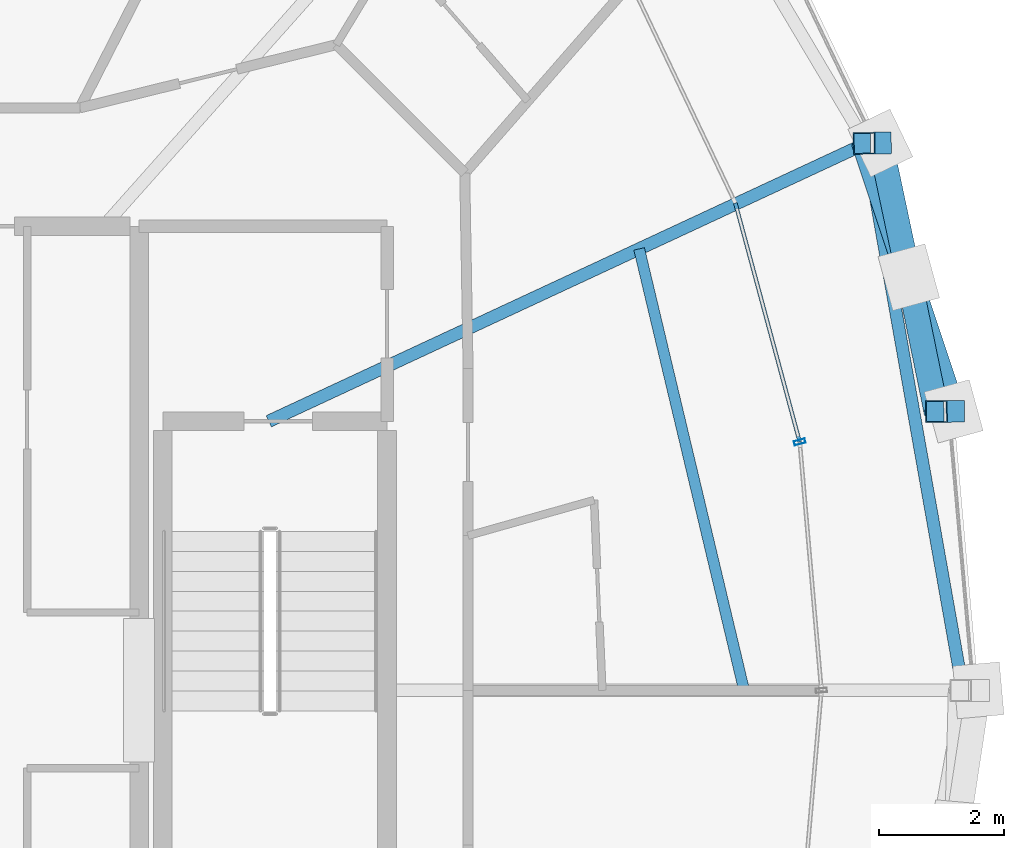
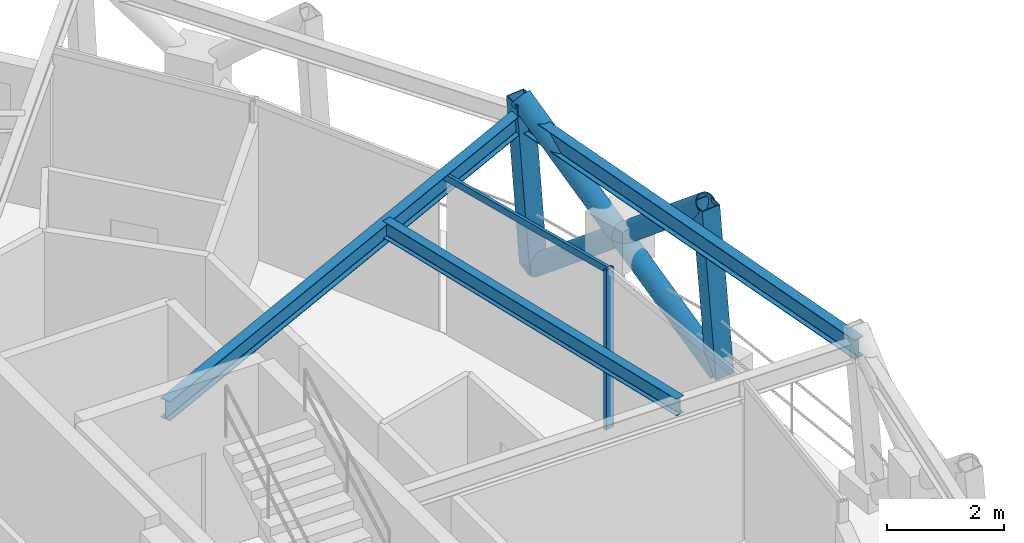
# One storey, part 6 of 16: 7 members, 3 beams, 1 element without a shape of its own.
"""IFC4 building model written with IfcOpenShell, lengths in metres."""

import ifcopenshell
import ifcopenshell.guid

model = None  # the IFC model being written
_history = None  # IfcOwnerHistory: only IFC2X3 demands one
_inside = {}  # id of a spatial element -> (the spatial element, [elements in it])
_under = {}  # id of a project, library or spatial element -> (it, [spatial elements below it])
_declared = {}  # id of a project -> (the project, [libraries it declares])
_typed = {}  # id of a type object -> (the type object, [elements of that type])
_made_of = {}  # id of a material, layer set ... -> (it, [elements and type objects made of it])


def new_model(schema):
    """Start an empty IFC model of exactly this schema.

    Asked for "IFC4X3", IfcOpenShell would pick the latest addendum, in which some entities
    have other attributes; the version numbers below select the first issue.
    IFC2X3 requires an IfcOwnerHistory on every rooted entity: one is made here for all.
    """
    global model, _history
    if schema == "IFC4X3":
        model = ifcopenshell.file(schema_version=(4, 3, 0, 0))
    else:
        model = ifcopenshell.file(schema=schema)
    _inside.clear()
    _under.clear()
    _declared.clear()
    _typed.clear()
    _made_of.clear()
    _history = None
    if model.schema == "IFC2X3":
        org = make("IfcOrganization", Name="unknown")
        user = make(
            "IfcPersonAndOrganization",
            ThePerson=make("IfcPerson", FamilyName="unknown"),
            TheOrganization=org,
        )
        app = make(
            "IfcApplication",
            ApplicationDeveloper=org,
            Version="unknown",
            ApplicationFullName="unknown",
            ApplicationIdentifier="unknown",
        )
        _history = make(
            "IfcOwnerHistory",
            OwningUser=user,
            OwningApplication=app,
            ChangeAction="ADDED",
            CreationDate=0,
        )
    return model


def make(cls, **values):
    """One entity of the class cls with the attributes given. An attribute that is None is left unset."""
    return model.create_entity(
        cls, **{name: value for name, value in values.items() if value is not None}
    )


def rooted(cls, **values):
    """An entity with a GlobalId (a new one), such as an element, a storey or a relation."""
    return make(cls, GlobalId=ifcopenshell.guid.new(), OwnerHistory=_history, **values)


def si_unit(unit_type, name, prefix=None):
    """IfcSIUnit, for example si_unit("LENGTHUNIT", "METRE", prefix="MILLI")."""
    return make("IfcSIUnit", UnitType=unit_type, Prefix=prefix, Name=name)


def assignment(units):
    """IfcUnitAssignment: the units of a project."""
    return None if units is None else make("IfcUnitAssignment", Units=units)


def point(xyz):
    """IfcCartesianPoint."""
    return None if xyz is None else make("IfcCartesianPoint", Coordinates=xyz)


def direction(xyz):
    """IfcDirection."""
    return None if xyz is None else make("IfcDirection", DirectionRatios=xyz)


def frame(location, z_axis=None, x_axis=None):
    """IfcAxis2Placement3D, a coordinate frame: its origin and axes. An axis left out is left unset."""
    return make(
        "IfcAxis2Placement3D",
        Location=point(location),
        Axis=direction(z_axis),
        RefDirection=direction(x_axis),
    )


def frame_2d(location, x_axis=None):
    """IfcAxis2Placement2D, a coordinate frame in the plane: its origin and x axis."""
    return make(
        "IfcAxis2Placement2D", Location=point(location), RefDirection=direction(x_axis)
    )


def origin():
    """The frame at (0, 0, 0) with its axes left unset."""
    return frame((0.0, 0.0, 0.0))


def origin_2d():
    """The frame at (0, 0) in the plane with its x axis left unset."""
    return frame_2d((0.0, 0.0))


def place(relative_to, where):
    """IfcLocalPlacement: puts the frame where relative to a parent placement (None: the world)."""
    return make(
        "IfcLocalPlacement", PlacementRelTo=relative_to, RelativePlacement=where
    )


def context(
    kind, dimensions, precision=None, world=None, true_north=None, identifier=None
):
    """IfcGeometricRepresentationContext, for example the 3D "Model" context."""
    return make(
        "IfcGeometricRepresentationContext",
        ContextIdentifier=identifier,
        ContextType=kind,
        CoordinateSpaceDimension=dimensions,
        Precision=precision,
        WorldCoordinateSystem=world,
        TrueNorth=true_north,
    )


def subcontext(parent, identifier, kind, view, scale=None):
    """IfcGeometricRepresentationSubContext, for example "Body" below "Model"."""
    return make(
        "IfcGeometricRepresentationSubContext",
        ContextIdentifier=identifier,
        ContextType=kind,
        ParentContext=parent,
        TargetScale=scale,
        TargetView=view,
    )


def project(units=None, contexts=None):
    """IfcProject with its units and contexts."""
    return rooted(
        "IfcProject",
        Name="project",
        RepresentationContexts=contexts,
        UnitsInContext=assignment(units),
    )


def spatial(cls, under=None, at=None, **own):
    """A site, building, storey or space (cls), placed at a placement, below another one or the project."""
    s = rooted(cls, ObjectPlacement=at, **own)
    if under is not None:
        _under.setdefault(under.id(), (under, []))[1].append(s)
    return s


def profile(cls, at=None, kind="AREA", **sizes):
    """A parametric profile (cls). Its sizes go by their IFC names, for example OverallWidth=200.0."""
    return make(cls, ProfileType=kind, Position=at, **sizes)


def hollow_rectangle(**sizes):
    """IfcRectangleHollowProfileDef."""
    return profile("IfcRectangleHollowProfileDef", **sizes)


def hollow_circle(**sizes):
    """IfcCircleHollowProfileDef."""
    return profile("IfcCircleHollowProfileDef", **sizes)


def i_section(**sizes):
    """IfcIShapeProfileDef."""
    return profile("IfcIShapeProfileDef", **sizes)


def extrude(swept, where, along, depth):
    """IfcExtrudedAreaSolid: the profile swept, set in the frame where, extruded along a direction by depth."""
    return make(
        "IfcExtrudedAreaSolid",
        SweptArea=swept,
        Position=where,
        ExtrudedDirection=direction(along),
        Depth=depth,
    )


def shape(context_of_items, identifier, shape_type, items):
    """IfcShapeRepresentation: the items that make up one representation, for example the "Body"."""
    return make(
        "IfcShapeRepresentation",
        ContextOfItems=context_of_items,
        RepresentationIdentifier=identifier,
        RepresentationType=shape_type,
        Items=items,
    )


def material(Name=None, Category=None):
    """IfcMaterial."""
    return make("IfcMaterial", Name=Name, Category=Category)


def layer(
    of_material, thickness, ventilated=None, Name=None, Category=None, Priority=None
):
    """IfcMaterialLayer: one layer of a wall or slab, of a material (None: an air gap)."""
    return make(
        "IfcMaterialLayer",
        Material=of_material,
        LayerThickness=thickness,
        IsVentilated=ventilated,
        Name=Name,
        Category=Category,
        Priority=Priority,
    )


def layer_set(layers, Name=None):
    """IfcMaterialLayerSet."""
    return make("IfcMaterialLayerSet", MaterialLayers=layers, LayerSetName=Name)


def material_profile(
    of_material, cross_section, Name=None, Category=None, Priority=None
):
    """IfcMaterialProfile: a cross section and its material."""
    return make(
        "IfcMaterialProfile",
        Name=Name,
        Material=of_material,
        Profile=cross_section,
        Priority=Priority,
        Category=Category,
    )


def profile_set(profiles, Name=None, composite=None):
    """IfcMaterialProfileSet."""
    return make(
        "IfcMaterialProfileSet",
        Name=Name,
        MaterialProfiles=profiles,
        CompositeProfile=composite,
    )


def made_of(thing, what):
    """Note that an element or type object is made of a material, layer set ...; save() writes the relation."""
    if what is not None:
        _made_of.setdefault(what.id(), (what, []))[1].append(thing)
    return thing


def type_object(cls, material=None, **own):
    """A type object (cls), such as IfcWallType, which elements share."""
    return made_of(rooted(cls, **own), material)


def element(
    cls,
    number,
    at=None,
    inside=None,
    cuts=None,
    type_object=None,
    material=None,
    context=None,
    identifier="Body",
    shape_type=None,
    held_by="IfcProductDefinitionShape",
    body=None,
    shapes=None,
    **own,
):
    """One element of the class cls, such as IfcWall. Its Tag is "e" and its number.

    at: its placement. inside: the storey or other place that contains it. cuts: it is an
    opening in that element (IfcRelVoidsElement). A single representation is given by context,
    identifier, shape_type and body (its items); several are given by shapes. held_by: the class
    of the entity that holds the representations. save() writes the other relations.
    """
    e = rooted(cls, Tag="e%d" % number, ObjectPlacement=at, **own)
    if body is not None:
        shapes = [shape(context, identifier, shape_type, body)]
    if shapes is not None:
        e.Representation = make(held_by, Representations=shapes)
    if inside is not None:
        _inside.setdefault(inside.id(), (inside, []))[1].append(e)
    if cuts is not None:
        rooted(
            "IfcRelVoidsElement", RelatingBuildingElement=cuts, RelatedOpeningElement=e
        )
    if type_object is not None:
        _typed.setdefault(type_object.id(), (type_object, []))[1].append(e)
    return made_of(e, material)


def aggregate(whole, parts):
    """IfcRelAggregates: a whole, such as a stair, and the parts it consists of."""
    return rooted("IfcRelAggregates", RelatingObject=whole, RelatedObjects=parts)


def save(model, path):
    """Write the relations noted so far, then the file.

    IfcRelAggregates (storeys below a building ...), IfcRelContainedInSpatialStructure (elements
    in a storey), IfcRelDefinesByType, IfcRelAssociatesMaterial and IfcRelDeclares: one each for
    every whole, place, type object, material and project.
    """
    for whole, parts in _under.values():
        aggregate(whole, parts)
    for where, things in _inside.values():
        rooted(
            "IfcRelContainedInSpatialStructure",
            RelatedElements=things,
            RelatingStructure=where,
        )
    for kind, things in _typed.values():
        rooted("IfcRelDefinesByType", RelatedObjects=things, RelatingType=kind)
    for what, things in _made_of.values():
        rooted("IfcRelAssociatesMaterial", RelatedObjects=things, RelatingMaterial=what)
    for by, libraries in _declared.values():
        rooted("IfcRelDeclares", RelatingContext=by, RelatedDefinitions=libraries)
    model.write(path)


model = new_model("IFC4")

# Units and contexts
model_context = context("Model", 3, precision=1e-05, world=origin(), true_north=direction((0.0, 1.0)))
body_context = subcontext(model_context, "Body", "Model", "MODEL_VIEW")
ifc_project = project(units=[si_unit("LENGTHUNIT", "METRE"), si_unit("AREAUNIT", "SQUARE_METRE"), si_unit("VOLUMEUNIT", "CUBIC_METRE"), si_unit("PLANEANGLEUNIT", "RADIAN"), si_unit("MASSUNIT", "GRAM", prefix="KILO")], contexts=[model_context])

# Site, building, storey
site_placement = place(None, origin())
site = spatial("IfcSite", under=ifc_project, at=site_placement, CompositionType="ELEMENT")
building_placement = place(site_placement, origin())
building = spatial("IfcBuilding", under=site, at=building_placement, Name="Veldorina Hangang Commons", CompositionType="ELEMENT")
storey_placement = place(building_placement, frame((0.0, 0.0, 279.60009765625)))
storey = spatial("IfcBuildingStorey", under=building, at=storey_placement, Name="L73", CompositionType="ELEMENT", Elevation=279.60009765625)

# Beams
ifc_material_1 = material(Name="Steel SM355-TMC", Category="steel")
ifc_material_profile_1 = material_profile(ifc_material_1, i_section(OverallWidth=0.199951171875, OverallDepth=0.39990234375, WebThickness=0.008056640625, FlangeThickness=0.012939453125, FilletRadius=0.012939453125, at=origin_2d()), Name="H-400x200x8x13")
ifc_profile_set_1 = profile_set([ifc_material_profile_1], Name="Steel SM355-TMC")
beam_type_1 = type_object("IfcBeamType", Name="BM-FG400", PredefinedType="BEAM", material=ifc_profile_set_1)
beam_1_placement = place(storey_placement, frame((41.281494140625, 28.320068359375, 3.159912109375), z_axis=(0.906610840288, 0.421967752645, 0.0), x_axis=(-0.421967752645, 0.906610840288, 0.0)))
element("IfcBeam", 1, at=beam_1_placement, inside=storey, type_object=beam_type_1, Name="L73 radial floor girder 02", PredefinedType="BEAM", context=body_context, shape_type="SweptSolid", body=[
    extrude(i_section(OverallWidth=0.199951171875, OverallDepth=0.39990234375, WebThickness=0.008056640625, FlangeThickness=0.012939453125, FilletRadius=0.012939453125, at=origin_2d()), origin(), (0.0, 0.0, 1.0), 10.57568359375),
])
ifc_material_profile_2 = material_profile(ifc_material_1, i_section(OverallWidth=0.175048828125, OverallDepth=0.35009765625, WebThickness=0.007080078125, FlangeThickness=0.010986328125, FilletRadius=0.012939453125, at=origin_2d()), Name="H-350x175x7x11")
ifc_profile_set_2 = profile_set([ifc_material_profile_2], Name="Steel SM355-TMC")
beam_type_2 = type_object("IfcBeamType", Name="BM-JST350", PredefinedType="JOIST", material=ifc_profile_set_2)
beam_2_placement = place(storey_placement, frame((48.91162109375, 24.0, 3.184814453125), z_axis=(-0.231353190674, 0.972869827451, 0.0), x_axis=(-0.972869827451, -0.231353190674, 0.0)))
element("IfcBeam", 2, at=beam_2_placement, inside=storey, type_object=beam_type_2, Name="L73 secondary floor joist 01", PredefinedType="JOIST", context=body_context, shape_type="SweptSolid", body=[
    extrude(i_section(OverallWidth=0.175048828125, OverallDepth=0.35009765625, WebThickness=0.007080078125, FlangeThickness=0.010986328125, FilletRadius=0.012939453125, at=origin_2d()), origin(), (0.0, 0.0, 1.0), 7.284423828125),
])
ifc_material_profile_3 = material_profile(ifc_material_1, i_section(OverallWidth=0.199951171875, OverallDepth=0.39990234375, WebThickness=0.008056640625, FlangeThickness=0.012939453125, FilletRadius=0.012939453125, at=origin_2d()), Name="H-400x200x8x13")
ifc_profile_set_3 = profile_set([ifc_material_profile_3], Name="Steel SM355-TMC")
beam_type_3 = type_object("IfcBeamType", Name="BM-RB400", PredefinedType="BEAM", material=ifc_profile_set_3)
beam_3_placement = place(storey_placement, frame((52.42431640625, 24.0, 3.159912109375), z_axis=(-0.174306853031, 0.984691383626, 0.0), x_axis=(-0.984691383626, -0.174306853031, 0.0)))
element("IfcBeam", 3, at=beam_3_placement, inside=storey, type_object=beam_type_3, Name="L73 perimeter hoop ring beam 00", PredefinedType="BEAM", context=body_context, shape_type="SweptSolid", body=[
    extrude(i_section(OverallWidth=0.199951171875, OverallDepth=0.39990234375, WebThickness=0.008056640625, FlangeThickness=0.012939453125, FilletRadius=0.012939453125, at=origin_2d()), origin(), (0.0, 0.0, 1.0), 8.919189453125),
])

# Curtain wall, members
ifc_material_2 = material(Name="Glass Low-E Selective", Category="glass")
ifc_layer = layer(ifc_material_2, 0.179931640625)
ifc_layer_set = layer_set([ifc_layer], Name="Glass Low-E Selective")
curtain_wall_type = type_object("IfcCurtainWallType", Name="CW-SYS-Z3", PredefinedType="NOTDEFINED", material=ifc_layer_set)
curtain_wall_placement = place(storey_placement, origin())
curtain_wall = element("IfcCurtainWall", 4, at=curtain_wall_placement, inside=storey, type_object=curtain_wall_type, Name="L73 unitised curtain wall CW-L73-R2", PredefinedType="NOTDEFINED")
ifc_material_3 = material(Name="Aluminium Anodized AA6063-T6", Category="aluminium")
ifc_material_profile_4 = material_profile(ifc_material_3, hollow_rectangle(XDim=0.070068359375, YDim=0.179931640625, WallThickness=0.00390625, at=origin_2d()), Name="ALU-RHS-180x70x4")
ifc_profile_set_4 = profile_set([ifc_material_profile_4], Name="Aluminium Anodized AA6063-T6")
member_type_1 = type_object("IfcMemberType", Name="CW-MUL-180", PredefinedType="MULLION", material=ifc_profile_set_4)
member_1_placement = place(storey_placement, frame((49.803955078125, 27.98779296875, 0.0), z_axis=(0.0, 0.0, 1.0), x_axis=(-0.26011692211, 0.965577126299, 0.0)))
member_1 = element("IfcMember", 5, at=member_1_placement, type_object=member_type_1, Name="CW-L73-R2 vertical mullion 3", PredefinedType="MULLION", context=body_context, shape_type="SweptSolid", body=[
    extrude(hollow_rectangle(XDim=0.070068359375, YDim=0.179931640625, WallThickness=0.00390625, at=origin_2d()), origin(), (0.0, 0.0, 1.0), 3.31982421875),
])
ifc_material_profile_5 = material_profile(ifc_material_3, hollow_rectangle(XDim=0.06005859375, YDim=0.139892578125, WallThickness=0.00341796875, at=origin_2d()), Name="ALU-RHS-140x60x3.5")
ifc_profile_set_5 = profile_set([ifc_material_profile_5], Name="Aluminium Anodized AA6063-T6")
member_type_2 = type_object("IfcMemberType", Name="CW-TRN-140", PredefinedType="USERDEFINED", material=ifc_profile_set_5)
member_2_placement = place(storey_placement, frame((49.803955078125, 27.98779296875, 3.27978515625), z_axis=(-0.260114573909, 0.965577758878, 0.0), x_axis=(-0.965577758878, -0.260114573909, 0.0)))
member_2 = element("IfcMember", 6, at=member_2_placement, type_object=member_type_2, Name="CW-L73-R2 facet 3 transom 1", ObjectType="TRANSOM", PredefinedType="USERDEFINED", context=body_context, shape_type="SweptSolid", body=[
    extrude(hollow_rectangle(XDim=0.06005859375, YDim=0.139892578125, WallThickness=0.00341796875, at=origin_2d()), origin(), (0.0, 0.0, 1.0), 3.97119140625),
])
aggregate(curtain_wall, [member_1, member_2])

# Members
ifc_material_profile_6 = material_profile(ifc_material_1, hollow_circle(Radius=0.199951171875, WallThickness=0.02001953125, at=origin_2d()), Name="CHS-400x20")
ifc_profile_set_6 = profile_set([ifc_material_profile_6], Name="Steel SM355-TMC")
member_type_3 = type_object("IfcMemberType", Name="DG-CHS400", PredefinedType="BRACE", material=ifc_profile_set_6)
member_3_placement = place(storey_placement, frame((52.275390625, 28.4794921875, 0.0), z_axis=(-0.248265527461, 0.742941652309, 0.621612362441), x_axis=(-0.948446229962, -0.316938083655, 0.0)))
element("IfcMember", 7, at=member_3_placement, inside=storey, type_object=member_type_3, Name="L73 continuous perimeter diagrid brace 01", PredefinedType="BRACE", context=body_context, shape_type="SweptSolid", body=[
    extrude(hollow_circle(Radius=0.199951171875, WallThickness=0.02001953125, at=origin_2d()), origin(), (0.0, 0.0, 1.0), 5.791259765625),
])
member_4_placement = place(storey_placement, frame((51.09912109375, 32.78662109375, 0.0), z_axis=(0.160545478858, -0.757249519466, 0.633086340467), x_axis=(0.978255939131, 0.207401344149, 0.0)))
element("IfcMember", 8, at=member_4_placement, inside=storey, type_object=member_type_3, Name="L73 split perimeter diagrid lower brace 02", PredefinedType="BRACE", context=body_context, shape_type="SweptSolid", body=[
    extrude(hollow_circle(Radius=0.199951171875, WallThickness=0.02001953125, at=origin_2d()), origin(), (0.0, 0.0, 1.0), 2.84521484375),
])
member_5_placement = place(storey_placement, frame((51.555908203125, 30.632080078125, 1.80126953125), z_axis=(0.155512562002, -0.758402975023, 0.632961902911), x_axis=(0.979617261958, 0.200873144233, 0.0)))
element("IfcMember", 9, at=member_5_placement, inside=storey, type_object=member_type_3, Name="L73 split perimeter diagrid upper brace 02", PredefinedType="BRACE", context=body_context, shape_type="SweptSolid", body=[
    extrude(hollow_circle(Radius=0.199951171875, WallThickness=0.02001953125, at=origin_2d()), origin(), (0.0, 0.0, 1.0), 2.841552734375),
])
ifc_material_profile_7 = material_profile(ifc_material_1, hollow_rectangle(XDim=0.35009765625, YDim=0.35009765625, WallThickness=0.01611328125, at=origin_2d()), Name="SHS-350x350x16")
ifc_profile_set_7 = profile_set([ifc_material_profile_7], Name="Steel SM355-TMC")
member_type_4 = type_object("IfcMemberType", Name="STR-SHS350", PredefinedType="STRUT", material=ifc_profile_set_7)
member_6_placement = place(storey_placement, frame((52.275390625, 28.4794921875, 0.0), z_axis=(-0.076882630726, -0.000676188485, 0.997039920897), x_axis=(0.008794734614, -0.999961325574, 0.0)))
element("IfcMember", 10, at=member_6_placement, inside=storey, type_object=member_type_4, Name="L73 perimeter ring node post 01", PredefinedType="STRUT", context=body_context, shape_type="SweptSolid", body=[
    extrude(hollow_rectangle(XDim=0.35009765625, YDim=0.35009765625, WallThickness=0.01611328125, at=origin_2d()), origin(), (0.0, 0.0, 1.0), 3.610595703125),
])
member_7_placement = place(storey_placement, frame((51.09912109375, 32.78662109375, 0.0), z_axis=(-0.072443882672, -0.001285185594, 0.997371662), x_axis=(0.017737638505, -0.999842675715, 0.0)))
element("IfcMember", 11, at=member_7_placement, inside=storey, type_object=member_type_4, Name="L73 perimeter ring node post 02", PredefinedType="STRUT", context=body_context, shape_type="SweptSolid", body=[
    extrude(hollow_rectangle(XDim=0.35009765625, YDim=0.35009765625, WallThickness=0.01611328125, at=origin_2d()), origin(), (0.0, 0.0, 1.0), 3.609375),
])

save(model, "model.ifc")
